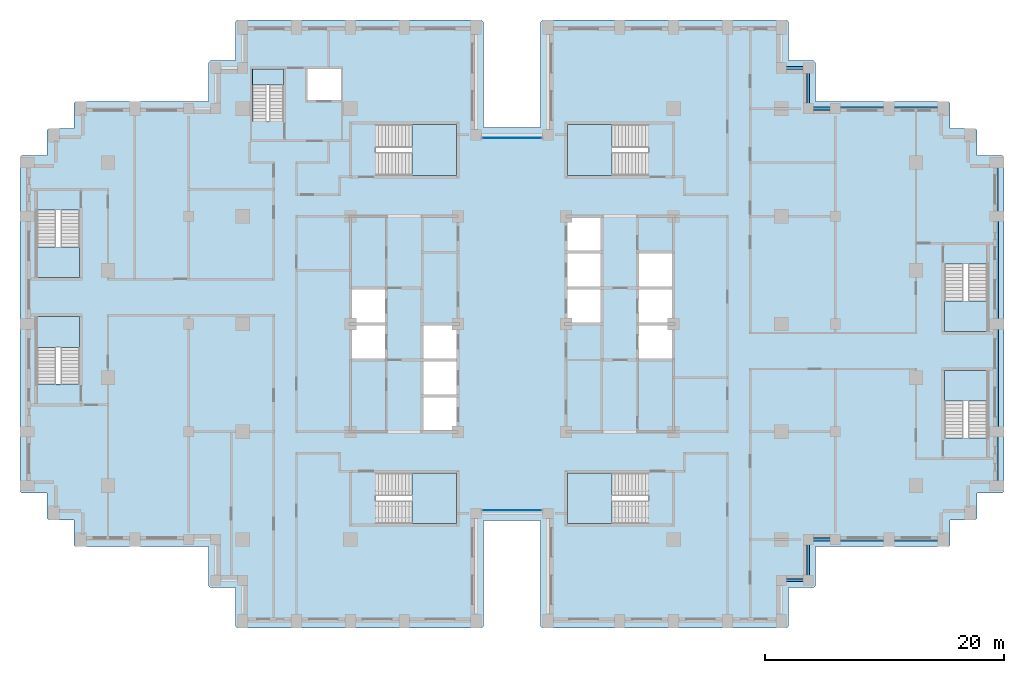
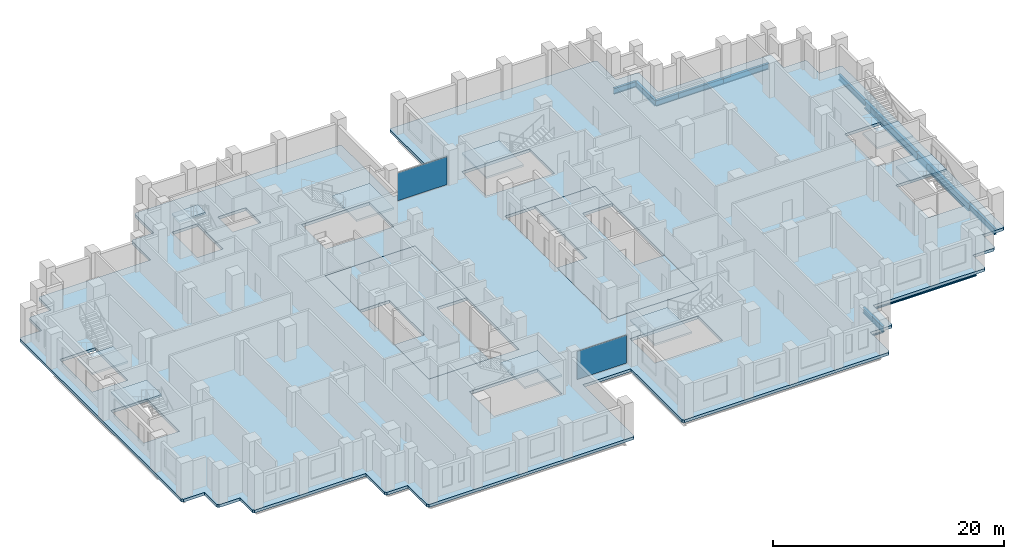
# One storey, part 5 of 15: 14 beams, 12 slabs, 2 plates, 11 elements without a shape of their own.
"""IFC4 building model written with IfcOpenShell, lengths in metres."""

from ifc_helpers import new_model, si_unit, direction, frame, origin, origin_2d, place, context, subcontext, project, spatial, polyline, rectangle, i_section, outline, extrude, material, layer, layer_set, material_profile, profile_set, type_object, element, aggregate, save


model = new_model("IFC4")

# Units and contexts
model_context = context("Model", 3, precision=1e-05, world=origin(), true_north=direction((0.0, 1.0)))
body_context = subcontext(model_context, "Body", "Model", "MODEL_VIEW")
ifc_project = project(units=[si_unit("LENGTHUNIT", "METRE"), si_unit("AREAUNIT", "SQUARE_METRE"), si_unit("VOLUMEUNIT", "CUBIC_METRE"), si_unit("PLANEANGLEUNIT", "RADIAN"), si_unit("MASSUNIT", "GRAM", prefix="KILO")], contexts=[model_context])

# Site, building, storey
site_placement = place(None, origin())
site = spatial("IfcSite", under=ifc_project, at=site_placement, CompositionType="ELEMENT")
building_placement = place(site_placement, origin())
building = spatial("IfcBuilding", under=site, at=building_placement, Name="Corbelhall Arena Tower", CompositionType="ELEMENT")
storey_placement = place(building_placement, frame((0.0, 0.0, 92.0)))
storey = spatial("IfcBuildingStorey", under=building, at=storey_placement, Name="L15", CompositionType="ELEMENT", Elevation=92.0)

# Beams
ifc_material_1 = material(Name="Steel ASTM A992 Gr50", Category="steel")
ifc_material_profile_1 = material_profile(ifc_material_1, i_section(OverallWidth=0.23046875, OverallDepth=0.6171875, WebThickness=0.01318359375, FlangeThickness=0.022216796875, at=origin_2d()))
ifc_profile_set_1 = profile_set([ifc_material_profile_1], Name="Steel ASTM A992 Gr50")
beam_type_1 = type_object("IfcBeamType", Name="ST-SPANDREL-W24x94", PredefinedType="SPANDREL", material=ifc_profile_set_1)
for number, where, z_axis, x_axis, name in (
    (1, (40.5, 13.5, -0.608642578125), (0.0, -1.0, 0.0), (1.0, 0.0, 0.0), "Beam SP 10"),
    (2, (40.5, -9.0, -0.608642578125), (0.0, -1.0, 0.0), (1.0, 0.0, 0.0), "Beam SP 11"),
    (3, (31.5, 18.0, -0.608642578125), (1.0, 0.0, 0.0), (0.0, 1.0, 0.0), "Beam SP 12"),
    (4, (31.5, -18.0, -0.608642578125), (-1.0, 0.0, 0.0), (0.0, -1.0, 0.0), "Beam SP 13"),
    (5, (36.0, -18.0, -0.608642578125), (-1.0, 0.0, 0.0), (0.0, -1.0, 0.0), "Beam SP 14"),
    (6, (27.0, 18.0, -0.608642578125), (1.0, 0.0, 0.0), (0.0, 1.0, 0.0), "Beam SP 15"),
):
    element("IfcBeam", number, at=place(storey_placement, frame(where, z_axis=z_axis, x_axis=x_axis)), inside=storey, type_object=beam_type_1, Name=name, PredefinedType="SPANDREL", context=body_context, shape_type="SweptSolid", body=[
        extrude(i_section(OverallWidth=0.23046875, OverallDepth=0.6171875, WebThickness=0.01318359375, FlangeThickness=0.022216796875, at=origin_2d()), origin(), (0.0, 0.0, 1.0), 4.5),
    ])
for number, where, z_axis, x_axis, name in (
    (7, (27.0, -18.0, -0.608642578125), (-1.0, 0.0, 0.0), (0.0, -1.0, 0.0), "Beam SP 16"),
    (8, (22.5, 21.39990234375, -0.608642578125), (1.0, 0.0, 0.0), (0.0, 1.0, 0.0), "Beam SP 43"),
):
    element("IfcBeam", number, at=place(storey_placement, frame(where, z_axis=z_axis, x_axis=x_axis)), inside=storey, type_object=beam_type_1, Name=name, PredefinedType="SPANDREL", context=body_context, shape_type="SweptSolid", body=[
        extrude(i_section(OverallWidth=0.23046875, OverallDepth=0.6171875, WebThickness=0.01318359375, FlangeThickness=0.022216796875, at=origin_2d()), origin(), (0.0, 0.0, 1.0), 2.25),
    ])
beam_1_placement = place(storey_placement, frame((24.75, 21.39990234375, -0.608642578125), z_axis=(0.0, -1.0, 0.0), x_axis=(1.0, 0.0, 0.0)))
element("IfcBeam", 9, at=beam_1_placement, inside=storey, type_object=beam_type_1, Name="Beam SP 44", PredefinedType="SPANDREL", context=body_context, shape_type="SweptSolid", body=[
    extrude(i_section(OverallWidth=0.23046875, OverallDepth=0.6171875, WebThickness=0.01318359375, FlangeThickness=0.022216796875, at=origin_2d()), origin(), (0.0, 0.0, 1.0), 3.39990234375),
])
for number, where, z_axis, x_axis, name in (
    (10, (24.75, 18.0, -0.608642578125), (1.0, 0.0, 0.0), (0.0, 1.0, 0.0), "Beam SP 45"),
    (11, (24.75, -21.39990234375, -0.608642578125), (-1.0, 0.0, 0.0), (0.0, -1.0, 0.0), "Beam SP 50"),
):
    element("IfcBeam", number, at=place(storey_placement, frame(where, z_axis=z_axis, x_axis=x_axis)), inside=storey, type_object=beam_type_1, Name=name, PredefinedType="SPANDREL", context=body_context, shape_type="SweptSolid", body=[
        extrude(i_section(OverallWidth=0.23046875, OverallDepth=0.6171875, WebThickness=0.01318359375, FlangeThickness=0.022216796875, at=origin_2d()), origin(), (0.0, 0.0, 1.0), 2.25),
    ])
beam_2_placement = place(storey_placement, frame((24.75, -18.0, -0.608642578125), z_axis=(0.0, -1.0, 0.0), x_axis=(1.0, 0.0, 0.0)))
element("IfcBeam", 12, at=beam_2_placement, inside=storey, type_object=beam_type_1, Name="Beam SP 51", PredefinedType="SPANDREL", context=body_context, shape_type="SweptSolid", body=[
    extrude(i_section(OverallWidth=0.23046875, OverallDepth=0.6171875, WebThickness=0.01318359375, FlangeThickness=0.022216796875, at=origin_2d()), origin(), (0.0, 0.0, 1.0), 3.39990234375),
])
ifc_material_profile_2 = material_profile(ifc_material_1, i_section(OverallWidth=0.2919921875, OverallDepth=0.845703125, WebThickness=0.015380859375, FlangeThickness=0.0244140625, at=origin_2d()))
ifc_profile_set_2 = profile_set([ifc_material_profile_2], Name="Steel ASTM A992 Gr50")
beam_type_2 = type_object("IfcBeamType", Name="ST-SPANDREL-W33x141", PredefinedType="SPANDREL", material=ifc_profile_set_2)
for number, where, z_axis, x_axis, name in (
    (13, (40.5, 0.0, -0.722900390625), (0.0, -1.0, 0.0), (1.0, 0.0, 0.0), "Beam SP 8"),
    (14, (40.5, 9.0, -0.722900390625), (0.0, -1.0, 0.0), (1.0, 0.0, 0.0), "Beam SP 9"),
):
    element("IfcBeam", number, at=place(storey_placement, frame(where, z_axis=z_axis, x_axis=x_axis)), inside=storey, type_object=beam_type_2, Name=name, PredefinedType="SPANDREL", context=body_context, shape_type="SweptSolid", body=[
        extrude(i_section(OverallWidth=0.2919921875, OverallDepth=0.845703125, WebThickness=0.015380859375, FlangeThickness=0.0244140625, at=origin_2d()), origin(), (0.0, 0.0, 1.0), 9.0),
    ])

# Curtain wall, plate
ifc_material_2 = material(Name="Aluminium black anodised", Category="aluminium")
ifc_layer_1 = layer(ifc_material_2, 0.199951171875)
ifc_layer_set_1 = layer_set([ifc_layer_1], Name="EV-CW1 Slot back wall")
curtain_wall_type = type_object("IfcCurtainWallType", Name="EV-CW1 Slot back wall", PredefinedType="NOTDEFINED", material=ifc_layer_set_1)
curtain_wall_1_placement = place(storey_placement, origin())
curtain_wall_1 = element("IfcCurtainWall", 15, at=curtain_wall_1_placement, inside=storey, type_object=curtain_wall_type, Name="Curtain wall CW1", PredefinedType="NOTDEFINED")
ifc_material_3 = material(Name="Glass dark tinted laminated", Category="glass")
ifc_layer_2 = layer(ifc_material_3, 0.028076171875)
ifc_layer_set_2 = layer_set([ifc_layer_2], Name="EV-CW1-PANEL")
plate_type = type_object("IfcPlateType", Name="EV-CW1-PANEL", PredefinedType="CURTAIN_PANEL", material=ifc_layer_set_2)
plate_1_placement = place(storey_placement, frame((0.0, -15.550048828125, 0.0751953125), z_axis=(0.0, 0.0, 1.0), x_axis=(1.0, 0.0, 0.0)))
plate_1 = element("IfcPlate", 16, at=plate_1_placement, type_object=plate_type, Name="CW1 panel 1.1", PredefinedType="CURTAIN_PANEL", context=body_context, shape_type="SweptSolid", body=[
    extrude(rectangle(XDim=4.949951171875, YDim=0.028076171875, at=origin_2d()), origin(), (0.0, 0.0, 1.0), 2.949951171875),
])
aggregate(curtain_wall_1, [plate_1])

curtain_wall_2_placement = place(storey_placement, origin())
curtain_wall_2 = element("IfcCurtainWall", 17, at=curtain_wall_2_placement, inside=storey, type_object=curtain_wall_type, Name="Curtain wall CW1", PredefinedType="NOTDEFINED")
plate_2_placement = place(storey_placement, frame((0.0, 15.550048828125, 0.0751953125), z_axis=(0.0, 0.0, 1.0), x_axis=(-1.0, 0.0, 0.0)))
plate_2 = element("IfcPlate", 18, at=plate_2_placement, type_object=plate_type, Name="CW1 panel 1.1", PredefinedType="CURTAIN_PANEL", context=body_context, shape_type="SweptSolid", body=[
    extrude(rectangle(XDim=4.949951171875, YDim=0.028076171875, at=origin_2d()), origin(), (0.0, 0.0, 1.0), 2.949951171875),
])
aggregate(curtain_wall_2, [plate_2])

# Slabs
ifc_material_4 = material(Name="Concrete C40/50", Category="concrete")
ifc_layer_3 = layer(ifc_material_4, 0.300048828125)
ifc_layer_set_3 = layer_set([ifc_layer_3], Name="IN-SL-CORE")
slab_type_1 = type_object("IfcSlabType", Name="IN-SL-CORE", PredefinedType="FLOOR", material=ifc_layer_set_3)
slab_1_placement = place(storey_placement, frame((0.0, 0.0, -0.300048828125)))
element("IfcSlab", 19, at=slab_1_placement, inside=storey, type_object=slab_type_1, Name="Core floor W", PredefinedType="FLOOR", context=body_context, shape_type="SweptSolid", body=[
    extrude(outline(polyline([(-7.5, 0.0), (-4.5, 0.0), (-4.5, 9.0), (-13.5, 9.0), (-13.5, 3.0), (-10.5, 3.0), (-10.5, 0.0), (-10.5, -3.0), (-13.5, -3.0), (-13.5, -9.0), (-7.5, -9.0), (-7.5, -6.0), (-7.5, -3.0), (-7.5, 0.0)])), origin(), (0.0, 0.0, 1.0), 0.300048828125),
])
slab_2_placement = place(storey_placement, frame((0.0, 0.0, -0.300048828125)))
element("IfcSlab", 20, at=slab_2_placement, inside=storey, type_object=slab_type_1, Name="Core floor E", PredefinedType="FLOOR", context=body_context, shape_type="SweptSolid", body=[
    extrude(outline(polyline([(7.5, 0.0), (4.5, 0.0), (4.5, -9.0), (13.5, -9.0), (13.5, -3.0), (10.5, -3.0), (10.5, 0.0), (10.5, 3.0), (10.5, 6.0), (13.5, 6.0), (13.5, 9.0), (7.5, 9.0), (7.5, 6.0), (7.5, 3.0), (7.5, 0.0)])), origin(), (0.0, 0.0, 1.0), 0.300048828125),
])

# Stair, slab
stair_type = type_object("IfcStairType", Name="IN-ST-TOWER", PredefinedType="HALF_TURN_STAIR", material=ifc_material_4)
stair_1_placement = place(storey_placement, origin())
stair_1 = element("IfcStair", 21, at=stair_1_placement, inside=storey, type_object=stair_type, Name="L15 Exit stair ST1", PredefinedType="HALF_TURN_STAIR")
ifc_layer_4 = layer(ifc_material_4, 0.199951171875)
ifc_layer_set_4 = layer_set([ifc_layer_4], Name="IN-SL-LANDING")
slab_type_2 = type_object("IfcSlabType", Name="IN-SL-LANDING", PredefinedType="LANDING", material=ifc_layer_set_4)
slab_3_placement = place(storey_placement, frame((0.0, 0.0, 1.800048828125)))
slab_3 = element("IfcSlab", 22, at=slab_3_placement, type_object=slab_type_2, Name="ST1 landing 1", PredefinedType="LANDING", context=body_context, shape_type="SweptSolid", body=[
    extrude(outline(polyline([(-8.344970703125, 12.425048828125), (-4.625, 12.425048828125), (-4.625, 16.675048828125), (-8.344970703125, 16.675048828125), (-8.344970703125, 12.425048828125)])), origin(), (0.0, 0.0, 1.0), 0.199951171875),
])
aggregate(stair_1, [slab_3])

stair_2_placement = place(storey_placement, origin())
stair_2 = element("IfcStair", 23, at=stair_2_placement, inside=storey, type_object=stair_type, Name="L15 Exit stair ST2", PredefinedType="HALF_TURN_STAIR")
slab_4_placement = place(storey_placement, frame((0.0, 0.0, 1.800048828125)))
slab_4 = element("IfcSlab", 24, at=slab_4_placement, type_object=slab_type_2, Name="ST2 landing 1", PredefinedType="LANDING", context=body_context, shape_type="SweptSolid", body=[
    extrude(outline(polyline([(-8.344970703125, -16.675048828125), (-4.625, -16.675048828125), (-4.625, -12.425048828125), (-8.344970703125, -12.425048828125), (-8.344970703125, -16.675048828125)])), origin(), (0.0, 0.0, 1.0), 0.199951171875),
])
aggregate(stair_2, [slab_4])

stair_3_placement = place(storey_placement, origin())
stair_3 = element("IfcStair", 25, at=stair_3_placement, inside=storey, type_object=stair_type, Name="L15 Exit stair ST3", PredefinedType="HALF_TURN_STAIR")
slab_5_placement = place(storey_placement, frame((0.0, 0.0, 1.800048828125)))
slab_5 = element("IfcSlab", 26, at=slab_5_placement, type_object=slab_type_2, Name="ST3 landing 1", PredefinedType="LANDING", context=body_context, shape_type="SweptSolid", body=[
    extrude(outline(polyline([(8.344970703125, 16.675048828125), (4.625, 16.675048828125), (4.625, 12.425048828125), (8.344970703125, 12.425048828125), (8.344970703125, 16.675048828125)])), origin(), (0.0, 0.0, 1.0), 0.199951171875),
])
aggregate(stair_3, [slab_5])

stair_4_placement = place(storey_placement, origin())
stair_4 = element("IfcStair", 27, at=stair_4_placement, inside=storey, type_object=stair_type, Name="L15 Exit stair ST4", PredefinedType="HALF_TURN_STAIR")
slab_6_placement = place(storey_placement, frame((0.0, 0.0, 1.800048828125)))
slab_6 = element("IfcSlab", 28, at=slab_6_placement, type_object=slab_type_2, Name="ST4 landing 1", PredefinedType="LANDING", context=body_context, shape_type="SweptSolid", body=[
    extrude(outline(polyline([(8.344970703125, -12.425048828125), (4.625, -12.425048828125), (4.625, -16.675048828125), (8.344970703125, -16.675048828125), (8.344970703125, -12.425048828125)])), origin(), (0.0, 0.0, 1.0), 0.199951171875),
])
aggregate(stair_4, [slab_6])

stair_5_placement = place(storey_placement, origin())
stair_5 = element("IfcStair", 29, at=stair_5_placement, inside=storey, type_object=stair_type, Name="L15 Exit stair SC1", PredefinedType="HALF_TURN_STAIR")
slab_7_placement = place(storey_placement, frame((0.0, 0.0, 1.800048828125)))
slab_7 = element("IfcSlab", 30, at=slab_7_placement, type_object=slab_type_2, Name="SC1 landing 1", PredefinedType="LANDING", context=body_context, shape_type="SweptSolid", body=[
    extrude(outline(polyline([(-39.699951171875, 6.445068359375), (-39.699951171875, 3.875), (-36.125, 3.875), (-36.125, 6.445068359375), (-39.699951171875, 6.445068359375)])), origin(), (0.0, 0.0, 1.0), 0.199951171875),
])
aggregate(stair_5, [slab_7])

stair_6_placement = place(storey_placement, origin())
stair_6 = element("IfcStair", 31, at=stair_6_placement, inside=storey, type_object=stair_type, Name="L15 Exit stair SC2", PredefinedType="HALF_TURN_STAIR")
slab_8_placement = place(storey_placement, frame((0.0, 0.0, 1.800048828125)))
slab_8 = element("IfcSlab", 32, at=slab_8_placement, type_object=slab_type_2, Name="SC2 landing 1", PredefinedType="LANDING", context=body_context, shape_type="SweptSolid", body=[
    extrude(outline(polyline([(-36.125, -1.945068359375), (-36.125, 0.625), (-39.699951171875, 0.625), (-39.699951171875, -1.945068359375), (-36.125, -1.945068359375)])), origin(), (0.0, 0.0, 1.0), 0.199951171875),
])
aggregate(stair_6, [slab_8])

stair_7_placement = place(storey_placement, origin())
stair_7 = element("IfcStair", 33, at=stair_7_placement, inside=storey, type_object=stair_type, Name="L15 Exit stair SD1", PredefinedType="HALF_TURN_STAIR")
slab_9_placement = place(storey_placement, frame((0.0, 0.0, 1.800048828125)))
slab_9 = element("IfcSlab", 34, at=slab_9_placement, type_object=slab_type_2, Name="SD1 landing 1", PredefinedType="LANDING", context=body_context, shape_type="SweptSolid", body=[
    extrude(outline(polyline([(39.699951171875, -6.445068359375), (39.699951171875, -3.875), (36.125, -3.875), (36.125, -6.445068359375), (39.699951171875, -6.445068359375)])), origin(), (0.0, 0.0, 1.0), 0.199951171875),
])
aggregate(stair_7, [slab_9])

stair_8_placement = place(storey_placement, origin())
stair_8 = element("IfcStair", 35, at=stair_8_placement, inside=storey, type_object=stair_type, Name="L15 Exit stair SD2", PredefinedType="HALF_TURN_STAIR")
slab_10_placement = place(storey_placement, frame((0.0, 0.0, 1.800048828125)))
slab_10 = element("IfcSlab", 36, at=slab_10_placement, type_object=slab_type_2, Name="SD2 landing 1", PredefinedType="LANDING", context=body_context, shape_type="SweptSolid", body=[
    extrude(outline(polyline([(36.125, 1.945068359375), (36.125, -0.625), (39.699951171875, -0.625), (39.699951171875, 1.945068359375), (36.125, 1.945068359375)])), origin(), (0.0, 0.0, 1.0), 0.199951171875),
])
aggregate(stair_8, [slab_10])

stair_9_placement = place(storey_placement, origin())
stair_9 = element("IfcStair", 37, at=stair_9_placement, inside=storey, type_object=stair_type, Name="L15 Exit stair ST5", PredefinedType="HALF_TURN_STAIR")
slab_11_placement = place(storey_placement, frame((0.0, 0.0, 1.800048828125)))
slab_11 = element("IfcSlab", 38, at=slab_11_placement, type_object=slab_type_2, Name="ST5 landing 1", PredefinedType="LANDING", context=body_context, shape_type="SweptSolid", body=[
    extrude(outline(polyline([(-19.094970703125, 19.97998046875), (-19.094970703125, 21.300048828125), (-21.695068359375, 21.300048828125), (-21.695068359375, 19.97998046875), (-19.094970703125, 19.97998046875)])), origin(), (0.0, 0.0, 1.0), 0.199951171875),
])
aggregate(stair_9, [slab_11])

# Slab
ifc_layer_5 = layer(ifc_material_4, 0.300048828125)
ifc_layer_set_5 = layer_set([ifc_layer_5], Name="ST-SLAB-FLOOR-300")
slab_type_3 = type_object("IfcSlabType", Name="ST-SLAB-FLOOR-300", PredefinedType="FLOOR", material=ifc_layer_set_5)
slab_12_placement = place(storey_placement, frame((0.0, 0.0, -0.300048828125)))
element("IfcSlab", 39, at=slab_12_placement, inside=storey, type_object=slab_type_3, Name="Floor slab L15 1", PredefinedType="FLOOR", context=body_context, shape_type="SweptSolid", body=[
    extrude(outline(polyline([(25.35009765625, 18.60009765625), (25.35009765625, 21.85009765625), (25.199951171875, 22.0), (23.10009765625, 22.0), (23.10009765625, 25.25), (22.949951171875, 25.39990234375), (2.550048828125, 25.39990234375), (2.39990234375, 25.25), (2.39990234375, 16.39990234375), (-2.39990234375, 16.39990234375), (-2.39990234375, 25.25), (-2.550048828125, 25.39990234375), (-22.949951171875, 25.39990234375), (-23.10009765625, 25.25), (-23.10009765625, 22.0), (-25.199951171875, 22.0), (-25.35009765625, 21.85009765625), (-25.35009765625, 18.60009765625), (-36.449951171875, 18.60009765625), (-36.60009765625, 18.449951171875), (-36.60009765625, 16.35009765625), (-38.699951171875, 16.35009765625), (-38.85009765625, 16.199951171875), (-38.85009765625, 14.10009765625), (-40.949951171875, 14.10009765625), (-41.10009765625, 13.949951171875), (-41.10009765625, -13.949951171875), (-40.949951171875, -14.10009765625), (-38.85009765625, -14.10009765625), (-38.85009765625, -16.199951171875), (-38.699951171875, -16.35009765625), (-36.60009765625, -16.35009765625), (-36.60009765625, -18.449951171875), (-36.449951171875, -18.60009765625), (-25.35009765625, -18.60009765625), (-25.35009765625, -21.85009765625), (-25.199951171875, -22.0), (-23.10009765625, -22.0), (-23.10009765625, -25.25), (-22.949951171875, -25.39990234375), (-2.550048828125, -25.39990234375), (-2.39990234375, -25.25), (-2.39990234375, -16.39990234375), (2.39990234375, -16.39990234375), (2.39990234375, -25.25), (2.550048828125, -25.39990234375), (22.949951171875, -25.39990234375), (23.10009765625, -25.25), (23.10009765625, -22.0), (25.199951171875, -22.0), (25.35009765625, -21.85009765625), (25.35009765625, -18.60009765625), (36.449951171875, -18.60009765625), (36.60009765625, -18.449951171875), (36.60009765625, -16.35009765625), (38.699951171875, -16.35009765625), (38.85009765625, -16.199951171875), (38.85009765625, -14.10009765625), (40.949951171875, -14.10009765625), (41.10009765625, -13.949951171875), (41.10009765625, 13.949951171875), (40.949951171875, 14.10009765625), (38.85009765625, 14.10009765625), (38.85009765625, 16.199951171875), (38.699951171875, 16.35009765625), (36.60009765625, 16.35009765625), (36.60009765625, 18.449951171875), (36.449951171875, 18.60009765625), (25.35009765625, 18.60009765625)]), holes=[polyline([(-13.5, 9.0), (-13.5, -9.0), (-4.5, -9.0), (-4.5, 9.0), (-13.5, 9.0)]), polyline([(4.5, 9.0), (4.5, -9.0), (13.5, -9.0), (13.5, 9.0), (4.5, 9.0)]), polyline([(-4.625, 16.675048828125), (-11.422119140625, 16.675048828125), (-11.422119140625, 12.425048828125), (-4.625, 12.425048828125), (-4.625, 16.675048828125)]), polyline([(-4.625, -16.675048828125), (-4.625, -12.425048828125), (-11.422119140625, -12.425048828125), (-11.422119140625, -16.675048828125), (-4.625, -16.675048828125)]), polyline([(11.422119140625, 16.675048828125), (4.625, 16.675048828125), (4.625, 12.425048828125), (11.422119140625, 12.425048828125), (11.422119140625, 16.675048828125)]), polyline([(11.422119140625, -16.675048828125), (11.422119140625, -12.425048828125), (4.625, -12.425048828125), (4.625, -16.675048828125), (11.422119140625, -16.675048828125)]), polyline([(-36.125, 3.875), (-36.125, 9.52197265625), (-39.699951171875, 9.52197265625), (-39.699951171875, 3.875), (-36.125, 3.875)]), polyline([(-36.125, 0.625), (-39.699951171875, 0.625), (-39.699951171875, -5.02197265625), (-36.125, -5.02197265625), (-36.125, 0.625)]), polyline([(39.699951171875, -9.52197265625), (39.699951171875, -3.875), (36.125, -3.875), (36.125, -9.52197265625), (39.699951171875, -9.52197265625)]), polyline([(39.699951171875, 5.02197265625), (36.125, 5.02197265625), (36.125, -0.625), (39.699951171875, -0.625), (39.699951171875, 5.02197265625)]), polyline([(-21.695068359375, 21.300048828125), (-21.695068359375, 16.903076171875), (-19.094970703125, 16.903076171875), (-19.094970703125, 21.300048828125), (-21.695068359375, 21.300048828125)]), polyline([(-14.300048828125, 21.300048828125), (-17.10009765625, 21.300048828125), (-17.10009765625, 18.699951171875), (-14.300048828125, 18.699951171875), (-14.300048828125, 21.300048828125)])]), origin(), (0.0, 0.0, 1.0), 0.300048828125),
])

save(model, "model.ifc")
